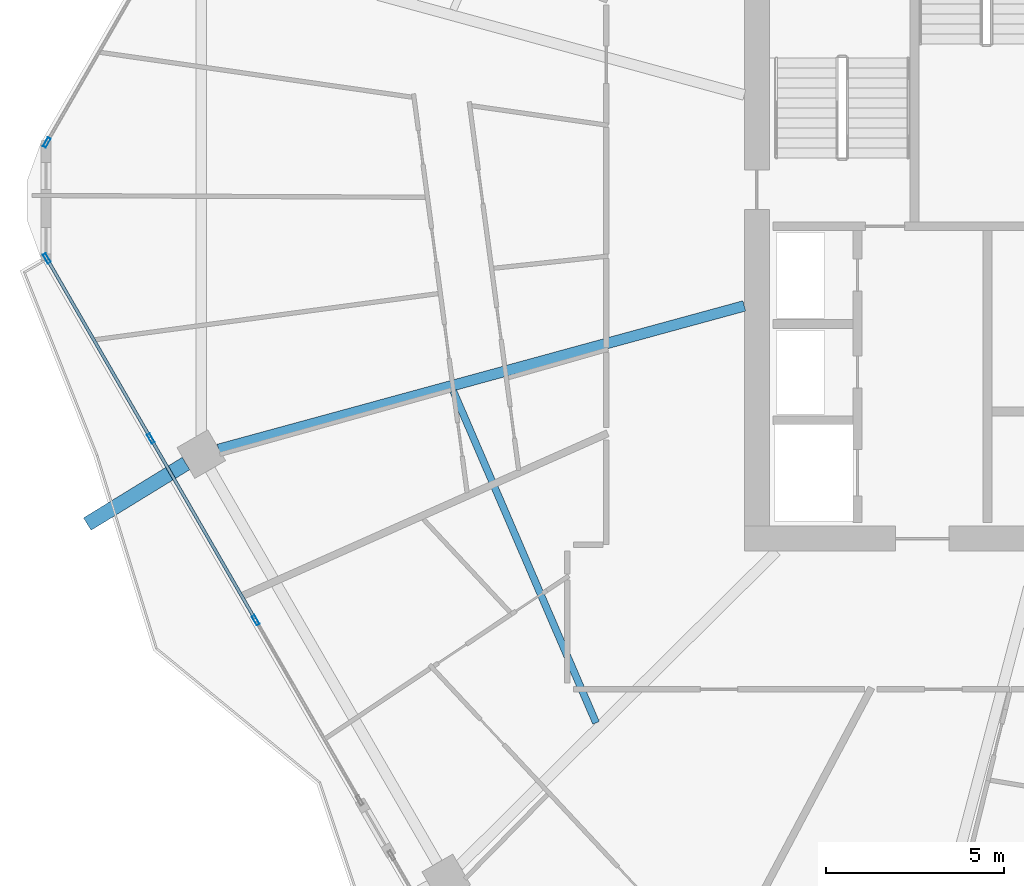
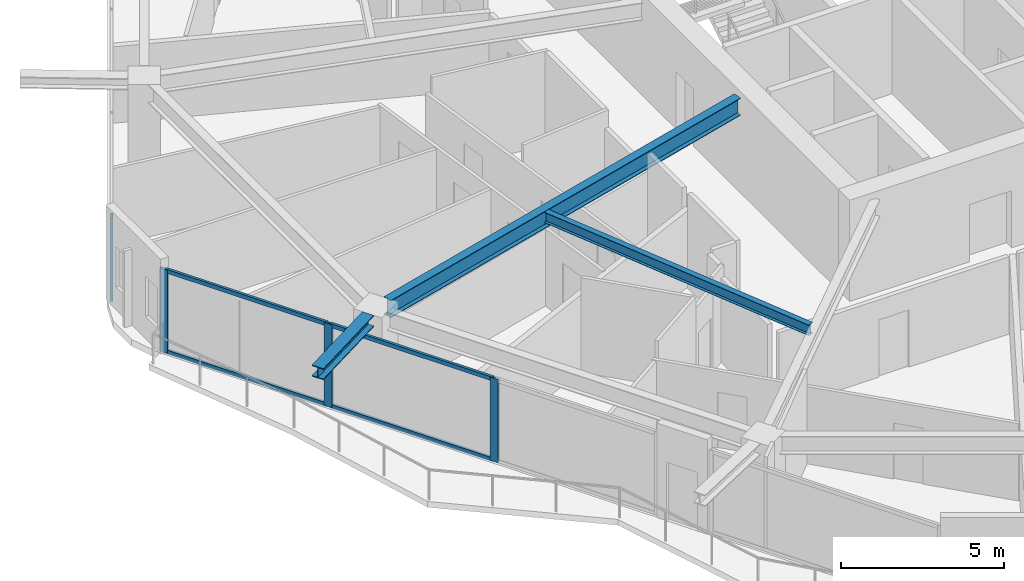
# One storey, part 5 of 25: 8 members, 3 beams, 2 elements without a shape of their own.
"""IFC4 building model written with IfcOpenShell, lengths in metres."""

from ifc_helpers import new_model, si_unit, direction, frame, origin, origin_2d, place, context, subcontext, project, spatial, hollow_rectangle, i_section, extrude, material, material_profile, profile_set, type_object, element, aggregate, save


model = new_model("IFC4")

# Units and contexts
model_context = context("Model", 3, precision=1e-05, world=origin(), true_north=direction((0.0, 1.0)))
body_context = subcontext(model_context, "Body", "Model", "MODEL_VIEW")
ifc_project = project(units=[si_unit("LENGTHUNIT", "METRE"), si_unit("AREAUNIT", "SQUARE_METRE"), si_unit("VOLUMEUNIT", "CUBIC_METRE"), si_unit("PLANEANGLEUNIT", "RADIAN"), si_unit("MASSUNIT", "GRAM", prefix="KILO")], contexts=[model_context])

# Site, building, storey
site_placement = place(None, origin())
site = spatial("IfcSite", under=ifc_project, at=site_placement, CompositionType="ELEMENT")
building_placement = place(site_placement, origin())
building = spatial("IfcBuilding", under=site, at=building_placement, Name="Zuhravey Tower", CompositionType="ELEMENT")
storey_placement = place(building_placement, frame((0.0, 0.0, 180.800048828125)))
storey = spatial("IfcBuildingStorey", under=building, at=storey_placement, Name="L45", CompositionType="ELEMENT", Elevation=180.800048828125)

# Curtain wall, members
ifc_material_1 = material(Name="Thermally broken anodised aluminium", Category="aluminium")
curtain_wall_type = type_object("IfcCurtainWallType", Name="Zone 1-2 Residential Curtain Wall CW3", PredefinedType="NOTDEFINED", material=ifc_material_1)
curtain_wall_1_placement = place(storey_placement, origin())
curtain_wall_1 = element("IfcCurtainWall", 1, at=curtain_wall_1_placement, inside=storey, type_object=curtain_wall_type, Name="L45 CW3 CW-L45-F4-2", PredefinedType="NOTDEFINED")
ifc_material_2 = material(Name="Anodised aluminium", Category="aluminium")
ifc_material_profile_1 = material_profile(ifc_material_2, hollow_rectangle(XDim=0.090087890625, YDim=0.284912109375, WallThickness=0.0048828125, at=origin_2d()), Name="ALU-RHS-90x285x5")
ifc_profile_set_1 = profile_set([ifc_material_profile_1], Name="Anodised aluminium")
member_type_1 = type_object("IfcMemberType", Name="Curtain-Wall Mullion 90x180", PredefinedType="MULLION", material=ifc_profile_set_1)
member_1_placement = place(storey_placement, frame((11.41943359375, 20.20849609375, 0.0), z_axis=(0.0, 0.0, 1.0), x_axis=(-0.866024937188, -0.500000808168, 0.0)))
member_1 = element("IfcMember", 2, at=member_1_placement, type_object=member_type_1, Name="CW3 mullion 2", PredefinedType="MULLION", context=body_context, shape_type="SweptSolid", body=[
    extrude(hollow_rectangle(XDim=0.090087890625, YDim=0.284912109375, WallThickness=0.0048828125, at=origin_2d()), origin(), (0.0, 0.0, 1.0), 3.1220703125),
])
member_2_placement = place(storey_placement, frame((8.473876953125, 25.310546875, 0.0), z_axis=(0.0, 0.0, 1.0), x_axis=(-0.866024937188, -0.500000808168, 0.0)))
member_2 = element("IfcMember", 3, at=member_2_placement, type_object=member_type_1, Name="CW3 mullion 3", PredefinedType="MULLION", context=body_context, shape_type="SweptSolid", body=[
    extrude(hollow_rectangle(XDim=0.090087890625, YDim=0.284912109375, WallThickness=0.0048828125, at=origin_2d()), origin(), (0.0, 0.0, 1.0), 3.1220703125),
])
member_3_placement = place(storey_placement, frame((5.55078125, 30.37353515625, 0.0), z_axis=(0.0, 0.0, 1.0), x_axis=(-0.866024937188, -0.500000808168, 0.0)))
member_3 = element("IfcMember", 4, at=member_3_placement, type_object=member_type_1, Name="CW3 mullion 4", PredefinedType="MULLION", context=body_context, shape_type="SweptSolid", body=[
    extrude(hollow_rectangle(XDim=0.090087890625, YDim=0.284912109375, WallThickness=0.0048828125, at=origin_2d()), origin(), (0.0, 0.0, 1.0), 3.1220703125),
])

# Curtain wall, member
curtain_wall_2_placement = place(storey_placement, origin())
curtain_wall_2 = element("IfcCurtainWall", 5, at=curtain_wall_2_placement, inside=storey, type_object=curtain_wall_type, Name="L45 CW3 CW-L45-F3-1", PredefinedType="NOTDEFINED")
member_4_placement = place(storey_placement, frame((5.55078125, 33.62646484375, 0.0), z_axis=(0.0, 0.0, 1.0), x_axis=(-0.866025138215, 0.500000459979, 0.0)))
member_4 = element("IfcMember", 6, at=member_4_placement, type_object=member_type_1, Name="CW3 mullion 1", PredefinedType="MULLION", context=body_context, shape_type="SweptSolid", body=[
    extrude(hollow_rectangle(XDim=0.090087890625, YDim=0.284912109375, WallThickness=0.0048828125, at=origin_2d()), origin(), (0.0, 0.0, 1.0), 3.1220703125),
])
aggregate(curtain_wall_2, [member_4])

# Member
ifc_material_profile_2 = material_profile(ifc_material_2, hollow_rectangle(XDim=0.090087890625, YDim=0.14990234375, WallThickness=0.0048828125, at=origin_2d()), Name="ALU-RHS-90x150x5")
ifc_profile_set_2 = profile_set([ifc_material_profile_2], Name="Anodised aluminium")
member_type_2 = type_object("IfcMemberType", Name="Curtain-Wall Transom 90x150", PredefinedType="USERDEFINED", material=ifc_profile_set_2)
member_5_placement = place(storey_placement, frame((11.39697265625, 20.247314453125, 0.044921875), z_axis=(-0.499990809322, 0.86603070996, 0.0), x_axis=(-0.86603070996, -0.499990809322, 0.0)))
member_5 = element("IfcMember", 7, at=member_5_placement, type_object=member_type_2, Name="CW3 transom 2.1", ObjectType="TRANSOM", PredefinedType="USERDEFINED", context=body_context, shape_type="SweptSolid", body=[
    extrude(hollow_rectangle(XDim=0.090087890625, YDim=0.14990234375, WallThickness=0.0048828125, at=origin_2d()), origin(), (0.0, 0.0, 1.0), 5.80126953125),
])

member_6_placement = place(storey_placement, frame((11.39697265625, 20.247314453125, 3.076904296875), z_axis=(-0.499990809322, 0.86603070996, 0.0), x_axis=(-0.86603070996, -0.499990809322, 0.0)))
member_6 = element("IfcMember", 8, at=member_6_placement, type_object=member_type_2, Name="CW3 transom 2.2", ObjectType="TRANSOM", PredefinedType="USERDEFINED", context=body_context, shape_type="SweptSolid", body=[
    extrude(hollow_rectangle(XDim=0.090087890625, YDim=0.14990234375, WallThickness=0.0048828125, at=origin_2d()), origin(), (0.0, 0.0, 1.0), 5.80126953125),
])

member_7_placement = place(storey_placement, frame((8.451416015625, 25.349365234375, 0.044921875), z_axis=(-0.500002699141, 0.866023845429, 0.0), x_axis=(-0.866023845429, -0.500002699141, 0.0)))
member_7 = element("IfcMember", 9, at=member_7_placement, type_object=member_type_2, Name="CW3 transom 3.1", ObjectType="TRANSOM", PredefinedType="USERDEFINED", context=body_context, shape_type="SweptSolid", body=[
    extrude(hollow_rectangle(XDim=0.090087890625, YDim=0.14990234375, WallThickness=0.0048828125, at=origin_2d()), origin(), (0.0, 0.0, 1.0), 5.75634765625),
])

member_8_placement = place(storey_placement, frame((8.451416015625, 25.349365234375, 3.076904296875), z_axis=(-0.500002699141, 0.866023845429, 0.0), x_axis=(-0.866023845429, -0.500002699141, 0.0)))
member_8 = element("IfcMember", 10, at=member_8_placement, type_object=member_type_2, Name="CW3 transom 3.2", ObjectType="TRANSOM", PredefinedType="USERDEFINED", context=body_context, shape_type="SweptSolid", body=[
    extrude(hollow_rectangle(XDim=0.090087890625, YDim=0.14990234375, WallThickness=0.0048828125, at=origin_2d()), origin(), (0.0, 0.0, 1.0), 5.75634765625),
])

aggregate(curtain_wall_1, [member_1, member_2, member_3, member_5, member_6, member_7, member_8])

# Beams
ifc_material_3 = material(Name="Steel SM460", Category="steel")
ifc_material_profile_3 = material_profile(ifc_material_3, i_section(OverallWidth=0.406982421875, OverallDepth=0.427978515625, WebThickness=0.02001953125, FlangeThickness=0.034912109375, at=origin_2d()), Name="H-428x407x20x35")
ifc_profile_set_3 = profile_set([ifc_material_profile_3], Name="Steel SM460")
beam_type_1 = type_object("IfcBeamType", Name="Exoskeleton Node Tie Beam H428x407", PredefinedType="BEAM", material=ifc_profile_set_3)
beam_1_placement = place(storey_placement, frame((9.462646484375, 24.60986328125, 3.3359375), z_axis=(-0.852296870051, -0.523058357453, 0.0), x_axis=(0.523058357453, -0.852296870051, 0.0)))
element("IfcBeam", 11, at=beam_1_placement, inside=storey, type_object=beam_type_1, Name="L45 Exoskeleton Node Tie NT1-07", PredefinedType="BEAM", context=body_context, shape_type="SweptSolid", body=[
    extrude(i_section(OverallWidth=0.406982421875, OverallDepth=0.427978515625, WebThickness=0.02001953125, FlangeThickness=0.034912109375, at=origin_2d()), origin(), (0.0, 0.0, 1.0), 3.25244140625),
])
ifc_material_4 = material(Name="Steel SM355", Category="steel")
ifc_material_profile_4 = material_profile(ifc_material_4, i_section(OverallWidth=0.300048828125, OverallDepth=0.64990234375, WebThickness=0.012939453125, FlangeThickness=0.02197265625, at=origin_2d()), Name="H-650x300x13x22")
ifc_profile_set_4 = profile_set([ifc_material_profile_4], Name="Steel SM355")
beam_type_2 = type_object("IfcBeamType", Name="Radial Primary Girder H650x300", PredefinedType="BEAM", material=ifc_profile_set_4)
beam_2_placement = place(storey_placement, frame((25.14697265625, 29.03759765625, 3.224853515625), z_axis=(-0.964701601771, -0.263345437667, 0.0), x_axis=(0.263345437667, -0.964701601771, 0.0)))
element("IfcBeam", 12, at=beam_2_placement, inside=storey, type_object=beam_type_2, Name="L45 RG2 BM-L45-RAD-07", PredefinedType="BEAM", context=body_context, shape_type="SweptSolid", body=[
    extrude(i_section(OverallWidth=0.300048828125, OverallDepth=0.64990234375, WebThickness=0.012939453125, FlangeThickness=0.02197265625, at=origin_2d()), origin(), (0.0, 0.0, 1.0), 15.309814453125),
])
ifc_material_profile_5 = material_profile(ifc_material_4, i_section(OverallWidth=0.199951171875, OverallDepth=0.39990234375, WebThickness=0.008056640625, FlangeThickness=0.012939453125, at=origin_2d()), Name="H-400x200x8x13")
ifc_profile_set_5 = profile_set([ifc_material_profile_5], Name="Steel SM355")
beam_type_3 = type_object("IfcBeamType", Name="Secondary Floor Joist H400x200", PredefinedType="JOIST", material=ifc_profile_set_5)
beam_3_placement = place(storey_placement, frame((16.970458984375, 26.6474609375, 3.349853515625), z_axis=(0.395265853487, -0.918566766799, 0.0), x_axis=(0.918566766799, 0.395265853487, 0.0)))
element("IfcBeam", 13, at=beam_3_placement, inside=storey, type_object=beam_type_3, Name="L45 SJ2 BM-L45-SJ-07-1", PredefinedType="JOIST", context=body_context, shape_type="SweptSolid", body=[
    extrude(i_section(OverallWidth=0.199951171875, OverallDepth=0.39990234375, WebThickness=0.008056640625, FlangeThickness=0.012939453125, at=origin_2d()), origin(), (0.0, 0.0, 1.0), 10.150146484375),
])

save(model, "model.ifc")
